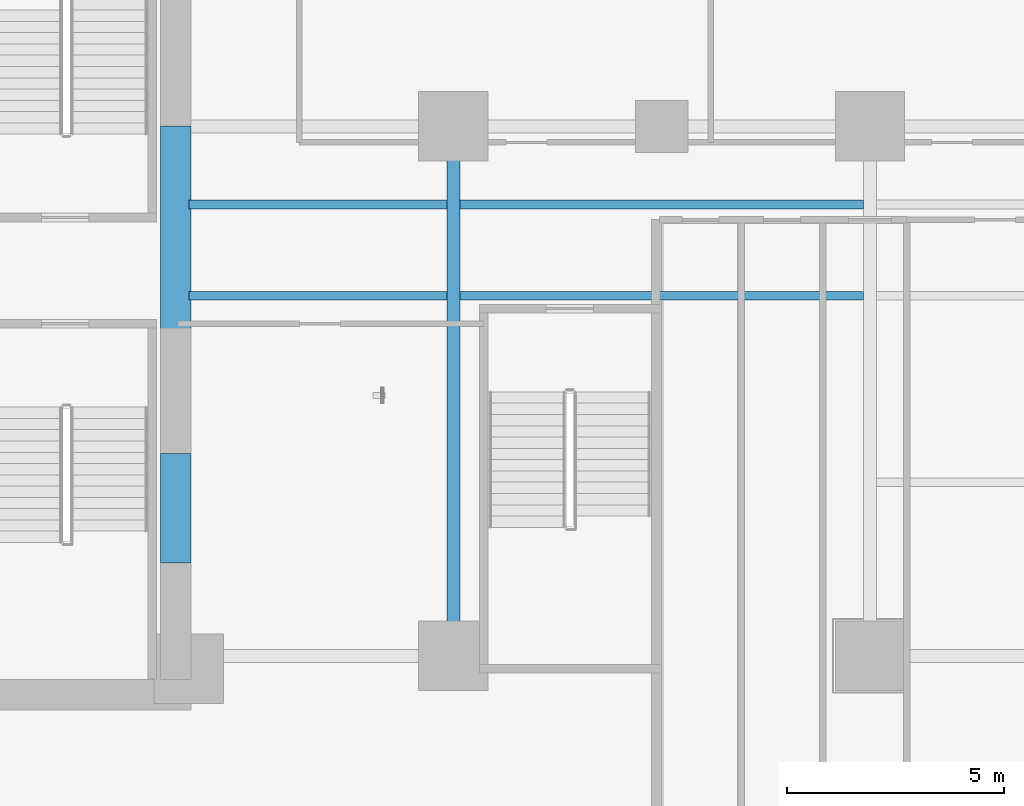
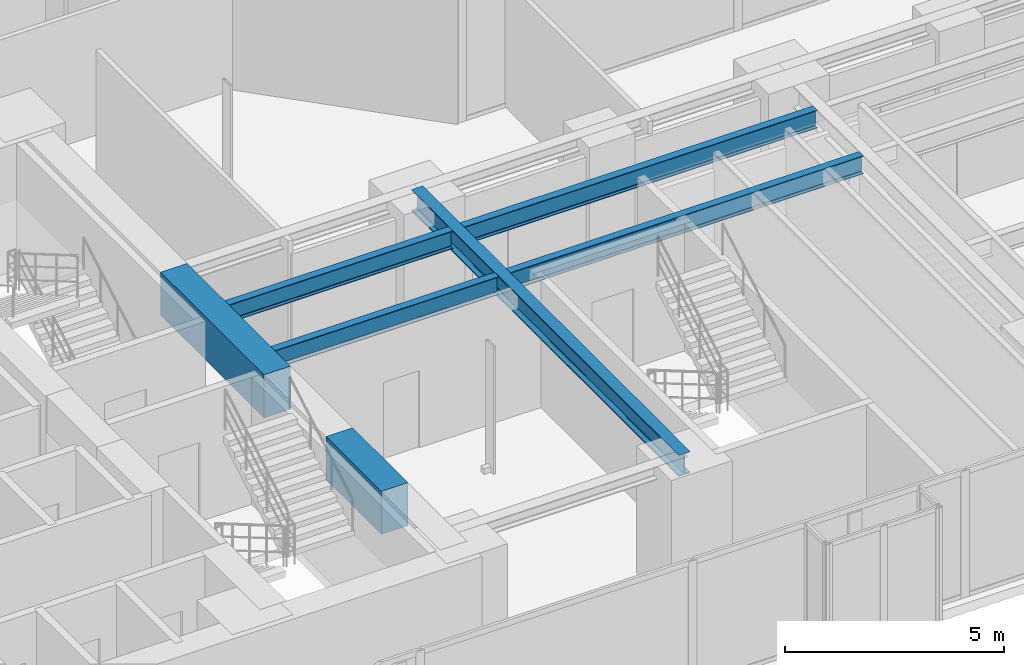
# One storey, part 5 of 27: 7 beams.
"""IFC4 building model written with IfcOpenShell, lengths in metres."""

from ifc_helpers import new_model, si_unit, direction, frame, origin, origin_2d, place, context, subcontext, project, spatial, rectangle, i_section, extrude, material, material_profile, profile_set, type_object, element, save


model = new_model("IFC4")

# Units and contexts
model_context = context("Model", 3, precision=1e-05, world=origin(), true_north=direction((0.0, 1.0)))
body_context = subcontext(model_context, "Body", "Model", "MODEL_VIEW")
ifc_project = project(units=[si_unit("LENGTHUNIT", "METRE"), si_unit("AREAUNIT", "SQUARE_METRE"), si_unit("VOLUMEUNIT", "CUBIC_METRE"), si_unit("PLANEANGLEUNIT", "RADIAN"), si_unit("MASSUNIT", "GRAM", prefix="KILO")], contexts=[model_context])

# Site, building, storey
site_placement = place(None, origin())
site = spatial("IfcSite", under=ifc_project, at=site_placement, CompositionType="ELEMENT")
building_placement = place(site_placement, origin())
building = spatial("IfcBuilding", under=site, at=building_placement, Name="Kolvaren Waterfront Exchange", CompositionType="ELEMENT")
storey_placement = place(building_placement, frame((0.0, 0.0, 33.39990234375)))
storey = spatial("IfcBuildingStorey", under=building, at=storey_placement, Name="L08", CompositionType="ELEMENT", Elevation=33.39990234375)

# Beams
ifc_material_1 = material(Name="Steel S355", Category="steel")
ifc_material_profile_1 = material_profile(ifc_material_1, i_section(OverallWidth=0.300048828125, OverallDepth=0.60009765625, WebThickness=0.015380859375, FlangeThickness=0.030029296875, FilletRadius=0.027099609375, at=origin_2d()), Name="HEB600")
ifc_profile_set_1 = profile_set([ifc_material_profile_1], Name="Steel S355")
beam_type_1 = type_object("IfcBeamType", Name="STR-BM-HEB600", PredefinedType="BEAM", material=ifc_profile_set_1)
beam_1_placement = place(storey_placement, frame((27.199951171875, 5.199951171875, 3.239990234375), z_axis=(0.0, 1.0, 0.0), x_axis=(-1.0, 0.0, 0.0)))
element("IfcBeam", 1, at=beam_1_placement, inside=storey, type_object=beam_type_1, Name="L08 east-arm transverse girder X27", PredefinedType="BEAM", context=body_context, shape_type="SweptSolid", body=[
    extrude(i_section(OverallWidth=0.300048828125, OverallDepth=0.60009765625, WebThickness=0.015380859375, FlangeThickness=0.030029296875, FilletRadius=0.027099609375, at=origin_2d()), origin(), (0.0, 0.0, 1.0), 12.199951171875),
])
ifc_material_profile_2 = material_profile(ifc_material_1, i_section(OverallWidth=0.199951171875, OverallDepth=0.5, WebThickness=0.01025390625, FlangeThickness=0.01611328125, FilletRadius=0.02099609375, at=origin_2d()), Name="IPE500")
ifc_profile_set_2 = profile_set([ifc_material_profile_2], Name="Steel S355")
beam_type_2 = type_object("IfcBeamType", Name="STR-BM-IPE500", PredefinedType="JOIST", material=ifc_profile_set_2)
for number, where, z_axis, x_axis, name in (
    (2, (21.10009765625, 13.5, 3.2900390625), (1.0, 0.0, 0.0), (0.0, 1.0, 0.0), "L08 east-arm composite joist 1A"),
    (3, (21.10009765625, 15.60009765625, 3.2900390625), (1.0, 0.0, 0.0), (0.0, 1.0, 0.0), "L08 east-arm composite joist 1C"),
):
    element("IfcBeam", number, at=place(storey_placement, frame(where, z_axis=z_axis, x_axis=x_axis)), inside=storey, type_object=beam_type_2, Name=name, PredefinedType="JOIST", context=body_context, shape_type="SweptSolid", body=[
        extrude(i_section(OverallWidth=0.199951171875, OverallDepth=0.5, WebThickness=0.01025390625, FlangeThickness=0.01611328125, FilletRadius=0.02099609375, at=origin_2d()), origin(), (0.0, 0.0, 1.0), 5.947998046875),
    ])
for number, where, z_axis, x_axis, name in (
    (4, (27.35205078125, 13.5, 3.2900390625), (1.0, 0.0, 0.0), (0.0, 1.0, 0.0), "L08 east-arm composite joist 2A"),
    (5, (27.35205078125, 15.60009765625, 3.2900390625), (1.0, 0.0, 0.0), (0.0, 1.0, 0.0), "L08 east-arm composite joist 2C"),
):
    element("IfcBeam", number, at=place(storey_placement, frame(where, z_axis=z_axis, x_axis=x_axis)), inside=storey, type_object=beam_type_2, Name=name, PredefinedType="JOIST", context=body_context, shape_type="SweptSolid", body=[
        extrude(i_section(OverallWidth=0.199951171875, OverallDepth=0.5, WebThickness=0.01025390625, FlangeThickness=0.01611328125, FilletRadius=0.02099609375, at=origin_2d()), origin(), (0.0, 0.0, 1.0), 9.2958984375),
    ])
ifc_material_2 = material(Name="Concrete C70/85", Category="concrete")
ifc_material_profile_3 = material_profile(ifc_material_2, rectangle(XDim=0.699951171875, YDim=1.199951171875, at=origin_2d()), Name="RC-CB-1200x700")
ifc_profile_set_3 = profile_set([ifc_material_profile_3], Name="Concrete C70/85")
beam_type_3 = type_object("IfcBeamType", Name="STR-CB-1200", PredefinedType="SPANDREL", material=ifc_profile_set_3)
beam_2_placement = place(storey_placement, frame((20.800048828125, 7.340087890625, 2.940185546875), z_axis=(0.0, 1.0, 0.0), x_axis=(-1.0, 0.0, 0.0)))
element("IfcBeam", 6, at=beam_2_placement, inside=storey, type_object=beam_type_3, Name="L08 core coupling beam 1", PredefinedType="SPANDREL", context=body_context, shape_type="SweptSolid", body=[
    extrude(rectangle(XDim=0.699951171875, YDim=1.199951171875, at=origin_2d()), origin(), (0.0, 0.0, 1.0), 2.52001953125),
])
beam_3_placement = place(storey_placement, frame((20.800048828125, 12.68994140625, 2.940185546875), z_axis=(0.0, 1.0, 0.0), x_axis=(-1.0, 0.0, 0.0)))
element("IfcBeam", 7, at=beam_3_placement, inside=storey, type_object=beam_type_3, Name="L08 core coupling beam 2", PredefinedType="SPANDREL", context=body_context, shape_type="SweptSolid", body=[
    extrude(rectangle(XDim=0.699951171875, YDim=1.199951171875, at=origin_2d()), origin(), (0.0, 0.0, 1.0), 4.719970703125),
])

save(model, "model.ifc")
